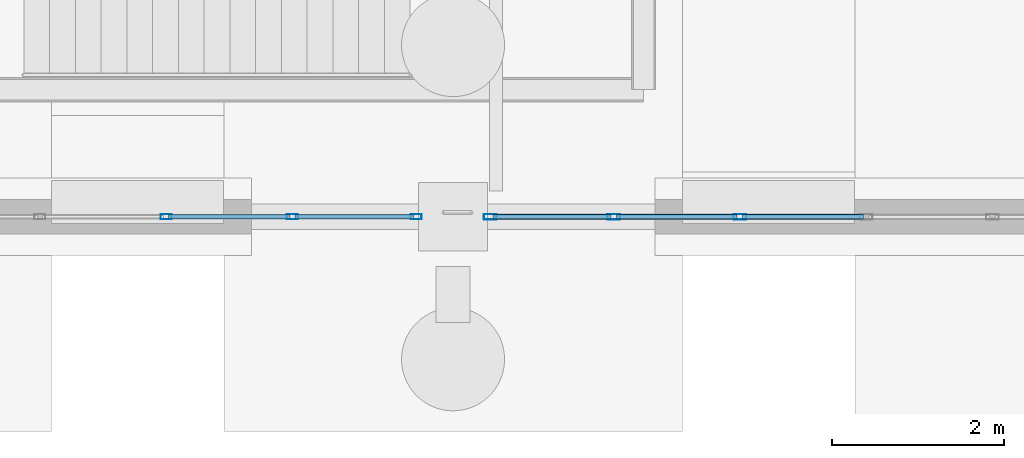
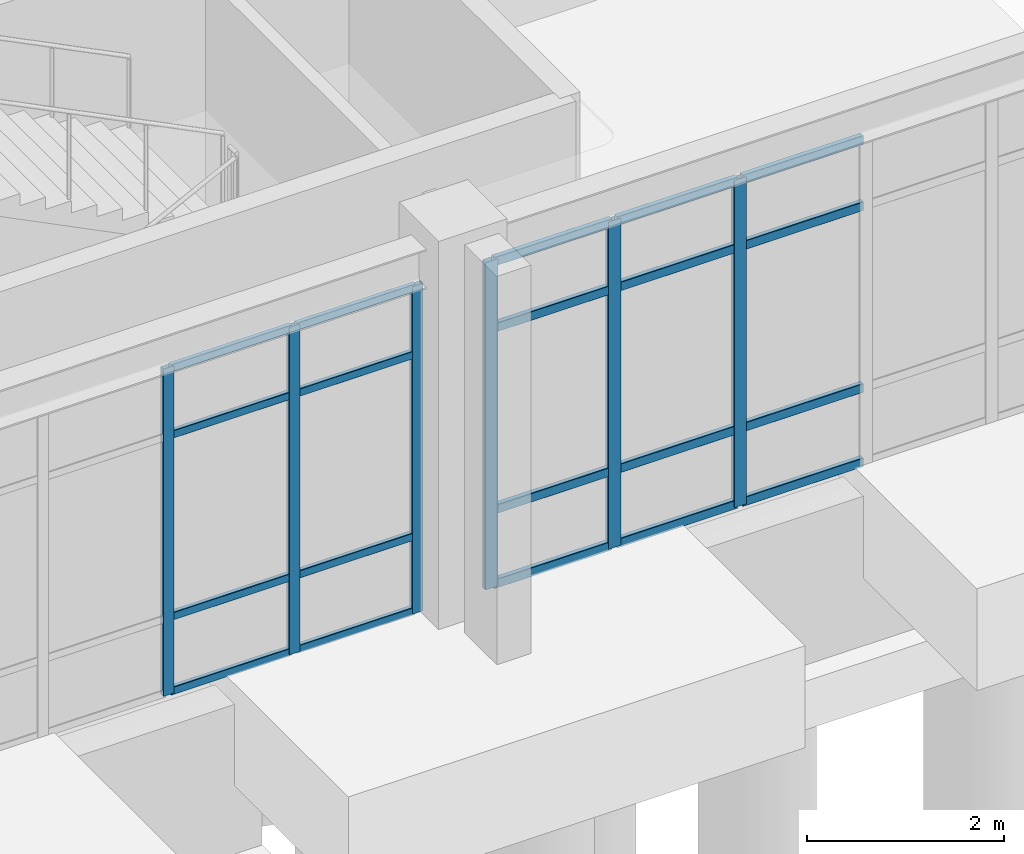
# One storey, part 44 of 111: 26 members, 2 elements without a shape of their own.
"""IFC4 building model written with IfcOpenShell, lengths in metres."""

from ifc_helpers import new_model, si_unit, direction, frame, origin, origin_2d, place, context, subcontext, project, spatial, hollow_rectangle, extrude, material, material_profile, profile_set, type_object, element, aggregate, save


model = new_model("IFC4")

# Units and contexts
model_context = context("Model", 3, precision=1e-05, world=origin(), true_north=direction((0.0, 1.0)))
body_context = subcontext(model_context, "Body", "Model", "MODEL_VIEW")
ifc_project = project(units=[si_unit("LENGTHUNIT", "METRE"), si_unit("AREAUNIT", "SQUARE_METRE"), si_unit("VOLUMEUNIT", "CUBIC_METRE"), si_unit("PLANEANGLEUNIT", "RADIAN"), si_unit("MASSUNIT", "GRAM", prefix="KILO")], contexts=[model_context])

# Site, building, storey
site_placement = place(None, origin())
site = spatial("IfcSite", under=ifc_project, at=site_placement, CompositionType="ELEMENT")
building_placement = place(site_placement, origin())
building = spatial("IfcBuilding", under=site, at=building_placement, Name="Canglan Escarpment Cableway Terminal", CompositionType="ELEMENT")
storey_placement = place(building_placement, frame((0.0, 0.0, 4.800048828125)))
storey = spatial("IfcBuildingStorey", under=building, at=storey_placement, Name="L01", CompositionType="ELEMENT", Elevation=4.800048828125)

# Curtain wall, members
ifc_material_1 = material(Name="Anodized bronze aluminium and Low-E double glazing", Category="aluminium")
curtain_wall_type = type_object("IfcCurtainWallType", Name="CW-BAY-8825x4050", PredefinedType="NOTDEFINED", material=ifc_material_1)
curtain_wall_1_placement = place(storey_placement, origin())
curtain_wall_1 = element("IfcCurtainWall", 1, at=curtain_wall_1_placement, inside=storey, type_object=curtain_wall_type, Name="Classical bay-between-piers glazed curtain wall CW-21", PredefinedType="NOTDEFINED")
ifc_material_2 = material(Name="Thermally broken anodized aluminium 6063-T6", Category="aluminium")
ifc_material_profile_1 = material_profile(ifc_material_2, hollow_rectangle(XDim=0.06005859375, YDim=0.1298828125, WallThickness=0.0029296875, InnerFilletRadius=0.0029296875, OuterFilletRadius=0.006103515625, at=origin_2d()), Name="ALU-MULL 60x130x3")
ifc_profile_set_1 = profile_set([ifc_material_profile_1], Name="Thermally broken anodized aluminium 6063-T6")
member_type_1 = type_object("IfcMemberType", Name="CWM-01", PredefinedType="MULLION", material=ifc_profile_set_1)
member_1_placement = place(storey_placement, frame((153.458251953125, 8.0, 0.0), z_axis=(0.0, 0.0, 1.0), x_axis=(0.0, 1.0, 0.0)))
member_1 = element("IfcMember", 2, at=member_1_placement, type_object=member_type_1, Name="CW-21 mullion 5", PredefinedType="MULLION", context=body_context, shape_type="SweptSolid", body=[
    extrude(hollow_rectangle(XDim=0.06005859375, YDim=0.1298828125, WallThickness=0.0029296875, InnerFilletRadius=0.0029296875, OuterFilletRadius=0.006103515625, at=origin_2d()), origin(), (0.0, 0.0, 1.0), 4.046875),
])
member_2_placement = place(storey_placement, frame((154.92919921875, 8.0, 0.0), z_axis=(0.0, 0.0, 1.0), x_axis=(0.0, 1.0, 0.0)))
member_2 = element("IfcMember", 3, at=member_2_placement, type_object=member_type_1, Name="CW-21 mullion 6", PredefinedType="MULLION", context=body_context, shape_type="SweptSolid", body=[
    extrude(hollow_rectangle(XDim=0.06005859375, YDim=0.1298828125, WallThickness=0.0029296875, InnerFilletRadius=0.0029296875, OuterFilletRadius=0.006103515625, at=origin_2d()), origin(), (0.0, 0.0, 1.0), 4.046875),
])
member_3_placement = place(storey_placement, frame((156.3701171875, 8.0, 0.0), z_axis=(0.0, 0.0, 1.0), x_axis=(0.0, 1.0, 0.0)))
member_3 = element("IfcMember", 4, at=member_3_placement, type_object=member_type_1, Name="CW-21 mullion 7", PredefinedType="MULLION", context=body_context, shape_type="SweptSolid", body=[
    extrude(hollow_rectangle(XDim=0.06005859375, YDim=0.1298828125, WallThickness=0.0029296875, InnerFilletRadius=0.0029296875, OuterFilletRadius=0.006103515625, at=origin_2d()), origin(), (0.0, 0.0, 1.0), 4.046875),
])

curtain_wall_2_placement = place(storey_placement, origin())
curtain_wall_2 = element("IfcCurtainWall", 5, at=curtain_wall_2_placement, inside=storey, type_object=curtain_wall_type, Name="Classical bay-between-piers glazed curtain wall CW-21", PredefinedType="NOTDEFINED")
ifc_material_profile_2 = material_profile(ifc_material_2, hollow_rectangle(XDim=0.06494140625, YDim=0.14990234375, WallThickness=0.00341796875, InnerFilletRadius=0.00341796875, OuterFilletRadius=0.007080078125, at=origin_2d()), Name="ALU-MULL 65x150x3.5")
ifc_profile_set_2 = profile_set([ifc_material_profile_2], Name="Thermally broken anodized aluminium 6063-T6")
member_type_2 = type_object("IfcMemberType", Name="CWM-02", PredefinedType="MULLION", material=ifc_profile_set_2)
member_4_placement = place(storey_placement, frame((157.232421875, 8.0, 0.0), z_axis=(0.0, 0.0, 1.0), x_axis=(0.0, 1.0, 0.0)))
member_4 = element("IfcMember", 6, at=member_4_placement, type_object=member_type_2, Name="CW-21 mullion 1", PredefinedType="MULLION", context=body_context, shape_type="SweptSolid", body=[
    extrude(hollow_rectangle(XDim=0.06494140625, YDim=0.14990234375, WallThickness=0.00341796875, InnerFilletRadius=0.00341796875, OuterFilletRadius=0.007080078125, at=origin_2d()), origin(), (0.0, 0.0, 1.0), 4.046875),
])
member_5_placement = place(storey_placement, frame((158.6708984375, 8.0, 0.0), z_axis=(0.0, 0.0, 1.0), x_axis=(0.0, 1.0, 0.0)))
member_5 = element("IfcMember", 7, at=member_5_placement, type_object=member_type_2, Name="CW-21 mullion 2", PredefinedType="MULLION", context=body_context, shape_type="SweptSolid", body=[
    extrude(hollow_rectangle(XDim=0.06494140625, YDim=0.14990234375, WallThickness=0.00341796875, InnerFilletRadius=0.00341796875, OuterFilletRadius=0.007080078125, at=origin_2d()), origin(), (0.0, 0.0, 1.0), 4.046875),
])
member_6_placement = place(storey_placement, frame((160.1416015625, 8.0, 0.0), z_axis=(0.0, 0.0, 1.0), x_axis=(0.0, 1.0, 0.0)))
member_6 = element("IfcMember", 8, at=member_6_placement, type_object=member_type_2, Name="CW-21 mullion 3", PredefinedType="MULLION", context=body_context, shape_type="SweptSolid", body=[
    extrude(hollow_rectangle(XDim=0.06494140625, YDim=0.14990234375, WallThickness=0.00341796875, InnerFilletRadius=0.00341796875, OuterFilletRadius=0.007080078125, at=origin_2d()), origin(), (0.0, 0.0, 1.0), 4.046875),
])

# Member
ifc_material_profile_3 = material_profile(ifc_material_2, hollow_rectangle(XDim=0.054931640625, YDim=0.094970703125, WallThickness=0.0029296875, InnerFilletRadius=0.0029296875, OuterFilletRadius=0.006103515625, at=origin_2d()), Name="ALU-TRAN 55x95x3")
ifc_profile_set_3 = profile_set([ifc_material_profile_3], Name="Thermally broken anodized aluminium 6063-T6")
member_type_3 = type_object("IfcMemberType", Name="CWT-01", PredefinedType="USERDEFINED", material=ifc_profile_set_3)
member_7_placement = place(storey_placement, frame((153.48828125, 8.0, 0.02734375), z_axis=(1.0, 0.0, 0.0), x_axis=(0.0, 1.0, 0.0)))
member_7 = element("IfcMember", 9, at=member_7_placement, type_object=member_type_3, Name="CW-21 transom 5.1", ObjectType="TRANSOM", PredefinedType="USERDEFINED", context=body_context, shape_type="SweptSolid", body=[
    extrude(hollow_rectangle(XDim=0.054931640625, YDim=0.094970703125, WallThickness=0.0029296875, InnerFilletRadius=0.0029296875, OuterFilletRadius=0.006103515625, at=origin_2d()), origin(), (0.0, 0.0, 1.0), 1.410888671875),
])

member_8_placement = place(storey_placement, frame((153.48828125, 8.0, 0.949951171875), z_axis=(1.0, 0.0, 0.0), x_axis=(0.0, 1.0, 0.0)))
member_8 = element("IfcMember", 10, at=member_8_placement, type_object=member_type_3, Name="CW-21 transom 5.2", ObjectType="TRANSOM", PredefinedType="USERDEFINED", context=body_context, shape_type="SweptSolid", body=[
    extrude(hollow_rectangle(XDim=0.054931640625, YDim=0.094970703125, WallThickness=0.0029296875, InnerFilletRadius=0.0029296875, OuterFilletRadius=0.006103515625, at=origin_2d()), origin(), (0.0, 0.0, 1.0), 1.410888671875),
])

member_9_placement = place(storey_placement, frame((153.48828125, 8.0, 3.197021484375), z_axis=(1.0, 0.0, 0.0), x_axis=(0.0, 1.0, 0.0)))
member_9 = element("IfcMember", 11, at=member_9_placement, type_object=member_type_3, Name="CW-21 transom 5.3", ObjectType="TRANSOM", PredefinedType="USERDEFINED", context=body_context, shape_type="SweptSolid", body=[
    extrude(hollow_rectangle(XDim=0.054931640625, YDim=0.094970703125, WallThickness=0.0029296875, InnerFilletRadius=0.0029296875, OuterFilletRadius=0.006103515625, at=origin_2d()), origin(), (0.0, 0.0, 1.0), 1.410888671875),
])

member_10_placement = place(storey_placement, frame((153.48828125, 8.0, 4.01953125), z_axis=(1.0, 0.0, 0.0), x_axis=(0.0, 1.0, 0.0)))
member_10 = element("IfcMember", 12, at=member_10_placement, type_object=member_type_3, Name="CW-21 transom 5.4", ObjectType="TRANSOM", PredefinedType="USERDEFINED", context=body_context, shape_type="SweptSolid", body=[
    extrude(hollow_rectangle(XDim=0.054931640625, YDim=0.094970703125, WallThickness=0.0029296875, InnerFilletRadius=0.0029296875, OuterFilletRadius=0.006103515625, at=origin_2d()), origin(), (0.0, 0.0, 1.0), 1.410888671875),
])

member_11_placement = place(storey_placement, frame((154.959228515625, 8.0, 0.02734375), z_axis=(1.0, 0.0, 0.0), x_axis=(0.0, 1.0, 0.0)))
member_11 = element("IfcMember", 13, at=member_11_placement, type_object=member_type_3, Name="CW-21 transom 6.1", ObjectType="TRANSOM", PredefinedType="USERDEFINED", context=body_context, shape_type="SweptSolid", body=[
    extrude(hollow_rectangle(XDim=0.054931640625, YDim=0.094970703125, WallThickness=0.0029296875, InnerFilletRadius=0.0029296875, OuterFilletRadius=0.006103515625, at=origin_2d()), origin(), (0.0, 0.0, 1.0), 1.380859375),
])

member_12_placement = place(storey_placement, frame((154.959228515625, 8.0, 0.949951171875), z_axis=(1.0, 0.0, 0.0), x_axis=(0.0, 1.0, 0.0)))
member_12 = element("IfcMember", 14, at=member_12_placement, type_object=member_type_3, Name="CW-21 transom 6.2", ObjectType="TRANSOM", PredefinedType="USERDEFINED", context=body_context, shape_type="SweptSolid", body=[
    extrude(hollow_rectangle(XDim=0.054931640625, YDim=0.094970703125, WallThickness=0.0029296875, InnerFilletRadius=0.0029296875, OuterFilletRadius=0.006103515625, at=origin_2d()), origin(), (0.0, 0.0, 1.0), 1.380859375),
])

member_13_placement = place(storey_placement, frame((154.959228515625, 8.0, 3.197021484375), z_axis=(1.0, 0.0, 0.0), x_axis=(0.0, 1.0, 0.0)))
member_13 = element("IfcMember", 15, at=member_13_placement, type_object=member_type_3, Name="CW-21 transom 6.3", ObjectType="TRANSOM", PredefinedType="USERDEFINED", context=body_context, shape_type="SweptSolid", body=[
    extrude(hollow_rectangle(XDim=0.054931640625, YDim=0.094970703125, WallThickness=0.0029296875, InnerFilletRadius=0.0029296875, OuterFilletRadius=0.006103515625, at=origin_2d()), origin(), (0.0, 0.0, 1.0), 1.380859375),
])

member_14_placement = place(storey_placement, frame((154.959228515625, 8.0, 4.01953125), z_axis=(1.0, 0.0, 0.0), x_axis=(0.0, 1.0, 0.0)))
member_14 = element("IfcMember", 16, at=member_14_placement, type_object=member_type_3, Name="CW-21 transom 6.4", ObjectType="TRANSOM", PredefinedType="USERDEFINED", context=body_context, shape_type="SweptSolid", body=[
    extrude(hollow_rectangle(XDim=0.054931640625, YDim=0.094970703125, WallThickness=0.0029296875, InnerFilletRadius=0.0029296875, OuterFilletRadius=0.006103515625, at=origin_2d()), origin(), (0.0, 0.0, 1.0), 1.380859375),
])

aggregate(curtain_wall_1, [member_1, member_2, member_3, member_7, member_8, member_9, member_10, member_11, member_12, member_13, member_14])

ifc_material_profile_4 = material_profile(ifc_material_2, hollow_rectangle(XDim=0.06005859375, YDim=0.110107421875, WallThickness=0.0029296875, InnerFilletRadius=0.0029296875, OuterFilletRadius=0.006103515625, at=origin_2d()), Name="ALU-TRAN 60x110x3")
ifc_profile_set_4 = profile_set([ifc_material_profile_4], Name="Thermally broken anodized aluminium 6063-T6")
member_type_4 = type_object("IfcMemberType", Name="CWT-02", PredefinedType="USERDEFINED", material=ifc_profile_set_4)
member_15_placement = place(storey_placement, frame((157.264892578125, 8.0, 0.030029296875), z_axis=(1.0, 0.0, 0.0), x_axis=(0.0, 1.0, 0.0)))
member_15 = element("IfcMember", 17, at=member_15_placement, type_object=member_type_4, Name="CW-21 transom 1.1", ObjectType="TRANSOM", PredefinedType="USERDEFINED", context=body_context, shape_type="SweptSolid", body=[
    extrude(hollow_rectangle(XDim=0.06005859375, YDim=0.110107421875, WallThickness=0.0029296875, InnerFilletRadius=0.0029296875, OuterFilletRadius=0.006103515625, at=origin_2d()), origin(), (0.0, 0.0, 1.0), 1.37353515625),
])

member_16_placement = place(storey_placement, frame((157.264892578125, 8.0, 0.949951171875), z_axis=(1.0, 0.0, 0.0), x_axis=(0.0, 1.0, 0.0)))
member_16 = element("IfcMember", 18, at=member_16_placement, type_object=member_type_4, Name="CW-21 transom 1.2", ObjectType="TRANSOM", PredefinedType="USERDEFINED", context=body_context, shape_type="SweptSolid", body=[
    extrude(hollow_rectangle(XDim=0.06005859375, YDim=0.110107421875, WallThickness=0.0029296875, InnerFilletRadius=0.0029296875, OuterFilletRadius=0.006103515625, at=origin_2d()), origin(), (0.0, 0.0, 1.0), 1.37353515625),
])

member_17_placement = place(storey_placement, frame((157.264892578125, 8.0, 3.197021484375), z_axis=(1.0, 0.0, 0.0), x_axis=(0.0, 1.0, 0.0)))
member_17 = element("IfcMember", 19, at=member_17_placement, type_object=member_type_4, Name="CW-21 transom 1.3", ObjectType="TRANSOM", PredefinedType="USERDEFINED", context=body_context, shape_type="SweptSolid", body=[
    extrude(hollow_rectangle(XDim=0.06005859375, YDim=0.110107421875, WallThickness=0.0029296875, InnerFilletRadius=0.0029296875, OuterFilletRadius=0.006103515625, at=origin_2d()), origin(), (0.0, 0.0, 1.0), 1.37353515625),
])

member_18_placement = place(storey_placement, frame((157.264892578125, 8.0, 4.016845703125), z_axis=(1.0, 0.0, 0.0), x_axis=(0.0, 1.0, 0.0)))
member_18 = element("IfcMember", 20, at=member_18_placement, type_object=member_type_4, Name="CW-21 transom 1.4", ObjectType="TRANSOM", PredefinedType="USERDEFINED", context=body_context, shape_type="SweptSolid", body=[
    extrude(hollow_rectangle(XDim=0.06005859375, YDim=0.110107421875, WallThickness=0.0029296875, InnerFilletRadius=0.0029296875, OuterFilletRadius=0.006103515625, at=origin_2d()), origin(), (0.0, 0.0, 1.0), 1.37353515625),
])

member_19_placement = place(storey_placement, frame((158.703369140625, 8.0, 0.030029296875), z_axis=(1.0, 0.0, 0.0), x_axis=(0.0, 1.0, 0.0)))
member_19 = element("IfcMember", 21, at=member_19_placement, type_object=member_type_4, Name="CW-21 transom 2.1", ObjectType="TRANSOM", PredefinedType="USERDEFINED", context=body_context, shape_type="SweptSolid", body=[
    extrude(hollow_rectangle(XDim=0.06005859375, YDim=0.110107421875, WallThickness=0.0029296875, InnerFilletRadius=0.0029296875, OuterFilletRadius=0.006103515625, at=origin_2d()), origin(), (0.0, 0.0, 1.0), 1.40576171875),
])

member_20_placement = place(storey_placement, frame((158.703369140625, 8.0, 0.949951171875), z_axis=(1.0, 0.0, 0.0), x_axis=(0.0, 1.0, 0.0)))
member_20 = element("IfcMember", 22, at=member_20_placement, type_object=member_type_4, Name="CW-21 transom 2.2", ObjectType="TRANSOM", PredefinedType="USERDEFINED", context=body_context, shape_type="SweptSolid", body=[
    extrude(hollow_rectangle(XDim=0.06005859375, YDim=0.110107421875, WallThickness=0.0029296875, InnerFilletRadius=0.0029296875, OuterFilletRadius=0.006103515625, at=origin_2d()), origin(), (0.0, 0.0, 1.0), 1.40576171875),
])

member_21_placement = place(storey_placement, frame((158.703369140625, 8.0, 3.197021484375), z_axis=(1.0, 0.0, 0.0), x_axis=(0.0, 1.0, 0.0)))
member_21 = element("IfcMember", 23, at=member_21_placement, type_object=member_type_4, Name="CW-21 transom 2.3", ObjectType="TRANSOM", PredefinedType="USERDEFINED", context=body_context, shape_type="SweptSolid", body=[
    extrude(hollow_rectangle(XDim=0.06005859375, YDim=0.110107421875, WallThickness=0.0029296875, InnerFilletRadius=0.0029296875, OuterFilletRadius=0.006103515625, at=origin_2d()), origin(), (0.0, 0.0, 1.0), 1.40576171875),
])

member_22_placement = place(storey_placement, frame((158.703369140625, 8.0, 4.016845703125), z_axis=(1.0, 0.0, 0.0), x_axis=(0.0, 1.0, 0.0)))
member_22 = element("IfcMember", 24, at=member_22_placement, type_object=member_type_4, Name="CW-21 transom 2.4", ObjectType="TRANSOM", PredefinedType="USERDEFINED", context=body_context, shape_type="SweptSolid", body=[
    extrude(hollow_rectangle(XDim=0.06005859375, YDim=0.110107421875, WallThickness=0.0029296875, InnerFilletRadius=0.0029296875, OuterFilletRadius=0.006103515625, at=origin_2d()), origin(), (0.0, 0.0, 1.0), 1.40576171875),
])

member_23_placement = place(storey_placement, frame((160.174072265625, 8.0, 0.030029296875), z_axis=(1.0, 0.0, 0.0), x_axis=(0.0, 1.0, 0.0)))
member_23 = element("IfcMember", 25, at=member_23_placement, type_object=member_type_4, Name="CW-21 transom 3.1", ObjectType="TRANSOM", PredefinedType="USERDEFINED", context=body_context, shape_type="SweptSolid", body=[
    extrude(hollow_rectangle(XDim=0.06005859375, YDim=0.110107421875, WallThickness=0.0029296875, InnerFilletRadius=0.0029296875, OuterFilletRadius=0.006103515625, at=origin_2d()), origin(), (0.0, 0.0, 1.0), 1.406005859375),
])

member_24_placement = place(storey_placement, frame((160.174072265625, 8.0, 0.949951171875), z_axis=(1.0, 0.0, 0.0), x_axis=(0.0, 1.0, 0.0)))
member_24 = element("IfcMember", 26, at=member_24_placement, type_object=member_type_4, Name="CW-21 transom 3.2", ObjectType="TRANSOM", PredefinedType="USERDEFINED", context=body_context, shape_type="SweptSolid", body=[
    extrude(hollow_rectangle(XDim=0.06005859375, YDim=0.110107421875, WallThickness=0.0029296875, InnerFilletRadius=0.0029296875, OuterFilletRadius=0.006103515625, at=origin_2d()), origin(), (0.0, 0.0, 1.0), 1.406005859375),
])

member_25_placement = place(storey_placement, frame((160.174072265625, 8.0, 3.197021484375), z_axis=(1.0, 0.0, 0.0), x_axis=(0.0, 1.0, 0.0)))
member_25 = element("IfcMember", 27, at=member_25_placement, type_object=member_type_4, Name="CW-21 transom 3.3", ObjectType="TRANSOM", PredefinedType="USERDEFINED", context=body_context, shape_type="SweptSolid", body=[
    extrude(hollow_rectangle(XDim=0.06005859375, YDim=0.110107421875, WallThickness=0.0029296875, InnerFilletRadius=0.0029296875, OuterFilletRadius=0.006103515625, at=origin_2d()), origin(), (0.0, 0.0, 1.0), 1.406005859375),
])

member_26_placement = place(storey_placement, frame((160.174072265625, 8.0, 4.016845703125), z_axis=(1.0, 0.0, 0.0), x_axis=(0.0, 1.0, 0.0)))
member_26 = element("IfcMember", 28, at=member_26_placement, type_object=member_type_4, Name="CW-21 transom 3.4", ObjectType="TRANSOM", PredefinedType="USERDEFINED", context=body_context, shape_type="SweptSolid", body=[
    extrude(hollow_rectangle(XDim=0.06005859375, YDim=0.110107421875, WallThickness=0.0029296875, InnerFilletRadius=0.0029296875, OuterFilletRadius=0.006103515625, at=origin_2d()), origin(), (0.0, 0.0, 1.0), 1.406005859375),
])

aggregate(curtain_wall_2, [member_4, member_5, member_6, member_15, member_16, member_17, member_18, member_19, member_20, member_21, member_22, member_23, member_24, member_25, member_26])

save(model, "model.ifc")
